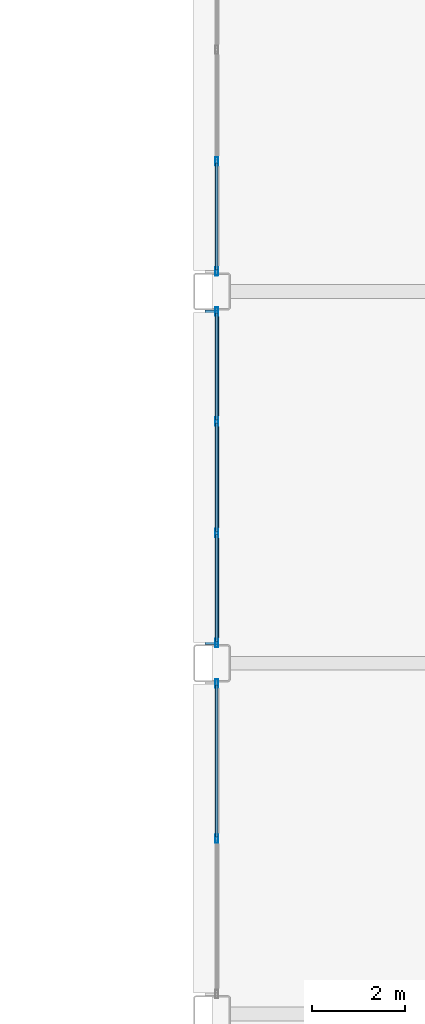
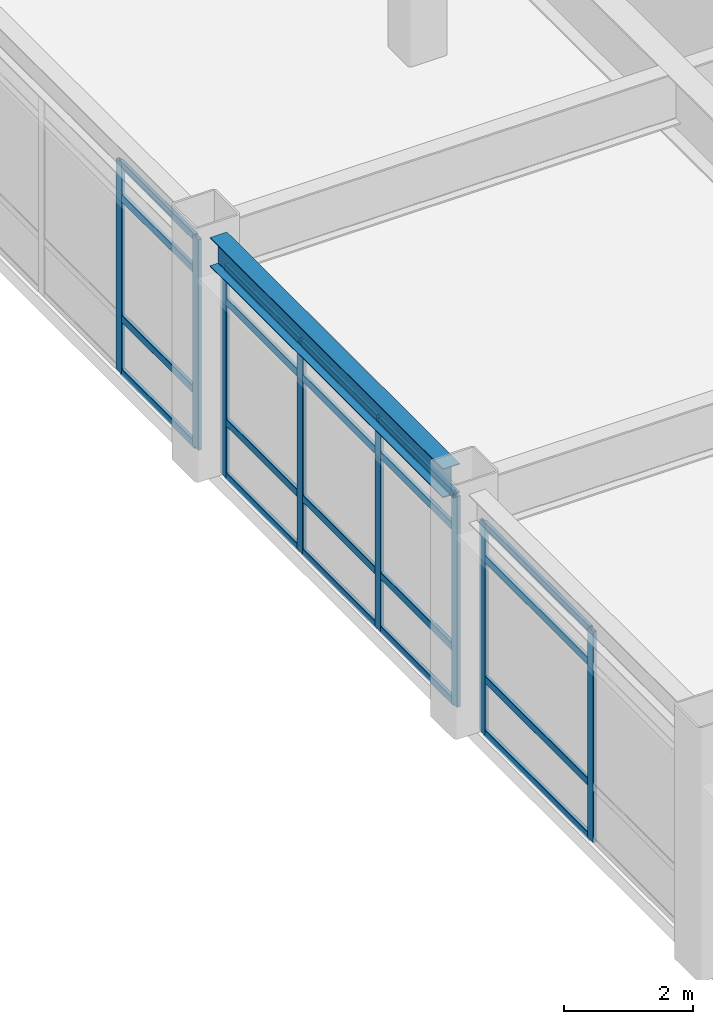
# One storey, part 112 of 172: 28 members, 1 beam, 3 elements without a shape of their own.
"""IFC4 building model written with IfcOpenShell, lengths in metres."""

import ifcopenshell
import ifcopenshell.guid

model = None  # the IFC model being written
_history = None  # IfcOwnerHistory: only IFC2X3 demands one
_inside = {}  # id of a spatial element -> (the spatial element, [elements in it])
_under = {}  # id of a project, library or spatial element -> (it, [spatial elements below it])
_declared = {}  # id of a project -> (the project, [libraries it declares])
_typed = {}  # id of a type object -> (the type object, [elements of that type])
_made_of = {}  # id of a material, layer set ... -> (it, [elements and type objects made of it])


def new_model(schema):
    """Start an empty IFC model of exactly this schema.

    Asked for "IFC4X3", IfcOpenShell would pick the latest addendum, in which some entities
    have other attributes; the version numbers below select the first issue.
    IFC2X3 requires an IfcOwnerHistory on every rooted entity: one is made here for all.
    """
    global model, _history
    if schema == "IFC4X3":
        model = ifcopenshell.file(schema_version=(4, 3, 0, 0))
    else:
        model = ifcopenshell.file(schema=schema)
    _inside.clear()
    _under.clear()
    _declared.clear()
    _typed.clear()
    _made_of.clear()
    _history = None
    if model.schema == "IFC2X3":
        org = make("IfcOrganization", Name="unknown")
        user = make(
            "IfcPersonAndOrganization",
            ThePerson=make("IfcPerson", FamilyName="unknown"),
            TheOrganization=org,
        )
        app = make(
            "IfcApplication",
            ApplicationDeveloper=org,
            Version="unknown",
            ApplicationFullName="unknown",
            ApplicationIdentifier="unknown",
        )
        _history = make(
            "IfcOwnerHistory",
            OwningUser=user,
            OwningApplication=app,
            ChangeAction="ADDED",
            CreationDate=0,
        )
    return model


def make(cls, **values):
    """One entity of the class cls with the attributes given. An attribute that is None is left unset."""
    return model.create_entity(
        cls, **{name: value for name, value in values.items() if value is not None}
    )


def rooted(cls, **values):
    """An entity with a GlobalId (a new one), such as an element, a storey or a relation."""
    return make(cls, GlobalId=ifcopenshell.guid.new(), OwnerHistory=_history, **values)


def si_unit(unit_type, name, prefix=None):
    """IfcSIUnit, for example si_unit("LENGTHUNIT", "METRE", prefix="MILLI")."""
    return make("IfcSIUnit", UnitType=unit_type, Prefix=prefix, Name=name)


def assignment(units):
    """IfcUnitAssignment: the units of a project."""
    return None if units is None else make("IfcUnitAssignment", Units=units)


def point(xyz):
    """IfcCartesianPoint."""
    return None if xyz is None else make("IfcCartesianPoint", Coordinates=xyz)


def direction(xyz):
    """IfcDirection."""
    return None if xyz is None else make("IfcDirection", DirectionRatios=xyz)


def frame(location, z_axis=None, x_axis=None):
    """IfcAxis2Placement3D, a coordinate frame: its origin and axes. An axis left out is left unset."""
    return make(
        "IfcAxis2Placement3D",
        Location=point(location),
        Axis=direction(z_axis),
        RefDirection=direction(x_axis),
    )


def frame_2d(location, x_axis=None):
    """IfcAxis2Placement2D, a coordinate frame in the plane: its origin and x axis."""
    return make(
        "IfcAxis2Placement2D", Location=point(location), RefDirection=direction(x_axis)
    )


def origin():
    """The frame at (0, 0, 0) with its axes left unset."""
    return frame((0.0, 0.0, 0.0))


def origin_2d():
    """The frame at (0, 0) in the plane with its x axis left unset."""
    return frame_2d((0.0, 0.0))


def place(relative_to, where):
    """IfcLocalPlacement: puts the frame where relative to a parent placement (None: the world)."""
    return make(
        "IfcLocalPlacement", PlacementRelTo=relative_to, RelativePlacement=where
    )


def context(
    kind, dimensions, precision=None, world=None, true_north=None, identifier=None
):
    """IfcGeometricRepresentationContext, for example the 3D "Model" context."""
    return make(
        "IfcGeometricRepresentationContext",
        ContextIdentifier=identifier,
        ContextType=kind,
        CoordinateSpaceDimension=dimensions,
        Precision=precision,
        WorldCoordinateSystem=world,
        TrueNorth=true_north,
    )


def subcontext(parent, identifier, kind, view, scale=None):
    """IfcGeometricRepresentationSubContext, for example "Body" below "Model"."""
    return make(
        "IfcGeometricRepresentationSubContext",
        ContextIdentifier=identifier,
        ContextType=kind,
        ParentContext=parent,
        TargetScale=scale,
        TargetView=view,
    )


def project(units=None, contexts=None):
    """IfcProject with its units and contexts."""
    return rooted(
        "IfcProject",
        Name="project",
        RepresentationContexts=contexts,
        UnitsInContext=assignment(units),
    )


def spatial(cls, under=None, at=None, **own):
    """A site, building, storey or space (cls), placed at a placement, below another one or the project."""
    s = rooted(cls, ObjectPlacement=at, **own)
    if under is not None:
        _under.setdefault(under.id(), (under, []))[1].append(s)
    return s


def profile(cls, at=None, kind="AREA", **sizes):
    """A parametric profile (cls). Its sizes go by their IFC names, for example OverallWidth=200.0."""
    return make(cls, ProfileType=kind, Position=at, **sizes)


def hollow_rectangle(**sizes):
    """IfcRectangleHollowProfileDef."""
    return profile("IfcRectangleHollowProfileDef", **sizes)


def i_section(**sizes):
    """IfcIShapeProfileDef."""
    return profile("IfcIShapeProfileDef", **sizes)


def extrude(swept, where, along, depth):
    """IfcExtrudedAreaSolid: the profile swept, set in the frame where, extruded along a direction by depth."""
    return make(
        "IfcExtrudedAreaSolid",
        SweptArea=swept,
        Position=where,
        ExtrudedDirection=direction(along),
        Depth=depth,
    )


def shape(context_of_items, identifier, shape_type, items):
    """IfcShapeRepresentation: the items that make up one representation, for example the "Body"."""
    return make(
        "IfcShapeRepresentation",
        ContextOfItems=context_of_items,
        RepresentationIdentifier=identifier,
        RepresentationType=shape_type,
        Items=items,
    )


def material(Name=None, Category=None):
    """IfcMaterial."""
    return make("IfcMaterial", Name=Name, Category=Category)


def layer(
    of_material, thickness, ventilated=None, Name=None, Category=None, Priority=None
):
    """IfcMaterialLayer: one layer of a wall or slab, of a material (None: an air gap)."""
    return make(
        "IfcMaterialLayer",
        Material=of_material,
        LayerThickness=thickness,
        IsVentilated=ventilated,
        Name=Name,
        Category=Category,
        Priority=Priority,
    )


def layer_set(layers, Name=None):
    """IfcMaterialLayerSet."""
    return make("IfcMaterialLayerSet", MaterialLayers=layers, LayerSetName=Name)


def material_profile(
    of_material, cross_section, Name=None, Category=None, Priority=None
):
    """IfcMaterialProfile: a cross section and its material."""
    return make(
        "IfcMaterialProfile",
        Name=Name,
        Material=of_material,
        Profile=cross_section,
        Priority=Priority,
        Category=Category,
    )


def profile_set(profiles, Name=None, composite=None):
    """IfcMaterialProfileSet."""
    return make(
        "IfcMaterialProfileSet",
        Name=Name,
        MaterialProfiles=profiles,
        CompositeProfile=composite,
    )


def made_of(thing, what):
    """Note that an element or type object is made of a material, layer set ...; save() writes the relation."""
    if what is not None:
        _made_of.setdefault(what.id(), (what, []))[1].append(thing)
    return thing


def type_object(cls, material=None, **own):
    """A type object (cls), such as IfcWallType, which elements share."""
    return made_of(rooted(cls, **own), material)


def element(
    cls,
    number,
    at=None,
    inside=None,
    cuts=None,
    type_object=None,
    material=None,
    context=None,
    identifier="Body",
    shape_type=None,
    held_by="IfcProductDefinitionShape",
    body=None,
    shapes=None,
    **own,
):
    """One element of the class cls, such as IfcWall. Its Tag is "e" and its number.

    at: its placement. inside: the storey or other place that contains it. cuts: it is an
    opening in that element (IfcRelVoidsElement). A single representation is given by context,
    identifier, shape_type and body (its items); several are given by shapes. held_by: the class
    of the entity that holds the representations. save() writes the other relations.
    """
    e = rooted(cls, Tag="e%d" % number, ObjectPlacement=at, **own)
    if body is not None:
        shapes = [shape(context, identifier, shape_type, body)]
    if shapes is not None:
        e.Representation = make(held_by, Representations=shapes)
    if inside is not None:
        _inside.setdefault(inside.id(), (inside, []))[1].append(e)
    if cuts is not None:
        rooted(
            "IfcRelVoidsElement", RelatingBuildingElement=cuts, RelatedOpeningElement=e
        )
    if type_object is not None:
        _typed.setdefault(type_object.id(), (type_object, []))[1].append(e)
    return made_of(e, material)


def aggregate(whole, parts):
    """IfcRelAggregates: a whole, such as a stair, and the parts it consists of."""
    return rooted("IfcRelAggregates", RelatingObject=whole, RelatedObjects=parts)


def save(model, path):
    """Write the relations noted so far, then the file.

    IfcRelAggregates (storeys below a building ...), IfcRelContainedInSpatialStructure (elements
    in a storey), IfcRelDefinesByType, IfcRelAssociatesMaterial and IfcRelDeclares: one each for
    every whole, place, type object, material and project.
    """
    for whole, parts in _under.values():
        aggregate(whole, parts)
    for where, things in _inside.values():
        rooted(
            "IfcRelContainedInSpatialStructure",
            RelatedElements=things,
            RelatingStructure=where,
        )
    for kind, things in _typed.values():
        rooted("IfcRelDefinesByType", RelatedObjects=things, RelatingType=kind)
    for what, things in _made_of.values():
        rooted("IfcRelAssociatesMaterial", RelatedObjects=things, RelatingMaterial=what)
    for by, libraries in _declared.values():
        rooted("IfcRelDeclares", RelatingContext=by, RelatedDefinitions=libraries)
    model.write(path)


model = new_model("IFC4")

# Units and contexts
model_context = context("Model", 3, precision=1e-05, world=origin(), true_north=direction((0.0, 1.0)))
body_context = subcontext(model_context, "Body", "Model", "MODEL_VIEW")
ifc_project = project(units=[si_unit("LENGTHUNIT", "METRE"), si_unit("AREAUNIT", "SQUARE_METRE"), si_unit("VOLUMEUNIT", "CUBIC_METRE"), si_unit("PLANEANGLEUNIT", "RADIAN"), si_unit("MASSUNIT", "GRAM", prefix="KILO")], contexts=[model_context])

# Site, building, storey
site_placement = place(None, origin())
site = spatial("IfcSite", under=ifc_project, at=site_placement, CompositionType="ELEMENT")
building_placement = place(site_placement, origin())
building = spatial("IfcBuilding", under=site, at=building_placement, Name="Kazehara Bluff Congress Hotel", CompositionType="ELEMENT")
storey_placement = place(building_placement, frame((0.0, 0.0, 5.39990234375)))
storey = spatial("IfcBuildingStorey", under=building, at=storey_placement, Name="L01", CompositionType="ELEMENT", Elevation=5.39990234375)

# Curtain wall, members
ifc_material_1 = material(Name="Anodised aluminium", Category="aluminium")
ifc_layer_1 = layer(ifc_material_1, 0.159912109375)
ifc_layer_set_1 = layer_set([ifc_layer_1], Name="Anodised aluminium")
curtain_wall_type_1 = type_object("IfcCurtainWallType", Name="TP-CW-122", PredefinedType="NOTDEFINED", material=ifc_layer_set_1)
curtain_wall_1_placement = place(storey_placement, origin())
curtain_wall_1 = element("IfcCurtainWall", 1, at=curtain_wall_1_placement, inside=storey, type_object=curtain_wall_type_1, Name="L01 curtain wall CW-122 CW-ENC-V5-L01-14380-7712", PredefinedType="NOTDEFINED")
ifc_material_2 = material(Name="Anodised aluminium", Category="aluminium")
ifc_material_profile_1 = material_profile(ifc_material_2, hollow_rectangle(XDim=0.06494140625, YDim=0.179931640625, WallThickness=0.00390625, InnerFilletRadius=0.00390625, OuterFilletRadius=0.008056640625, at=origin_2d()))
ifc_profile_set_1 = profile_set([ifc_material_profile_1], Name="Anodised aluminium")
member_type_1 = type_object("IfcMemberType", Name="TP-CWM-02", PredefinedType="MULLION", material=ifc_profile_set_1)
member_1_placement = place(storey_placement, frame((143.800048828125, 77.125, 0.0), z_axis=(0.0, 0.0, 1.0), x_axis=(-1.0, 0.0, 0.0)))
member_1 = element("IfcMember", 2, at=member_1_placement, type_object=member_type_1, Name="CW-122 mullion 2", PredefinedType="MULLION", context=body_context, shape_type="SweptSolid", body=[
    extrude(hollow_rectangle(XDim=0.06494140625, YDim=0.179931640625, WallThickness=0.00390625, InnerFilletRadius=0.00390625, OuterFilletRadius=0.008056640625, at=origin_2d()), origin(), (0.0, 0.0, 1.0), 3.97509765625),
])
member_2_placement = place(storey_placement, frame((143.800048828125, 80.467529296875, 0.0), z_axis=(0.0, 0.0, 1.0), x_axis=(-1.0, 0.0, 0.0)))
member_2 = element("IfcMember", 3, at=member_2_placement, type_object=member_type_1, Name="CW-122 mullion 3", PredefinedType="MULLION", context=body_context, shape_type="SweptSolid", body=[
    extrude(hollow_rectangle(XDim=0.06494140625, YDim=0.179931640625, WallThickness=0.00390625, InnerFilletRadius=0.00390625, OuterFilletRadius=0.008056640625, at=origin_2d()), origin(), (0.0, 0.0, 1.0), 3.97509765625),
])

ifc_material_3 = material(Name="Anodised aluminium", Category="aluminium")
ifc_layer_2 = layer(ifc_material_3, 0.159912109375)
ifc_layer_set_2 = layer_set([ifc_layer_2], Name="Anodised aluminium")
curtain_wall_type_2 = type_object("IfcCurtainWallType", Name="TP-CW-120", PredefinedType="NOTDEFINED", material=ifc_layer_set_2)
curtain_wall_2_placement = place(storey_placement, origin())
curtain_wall_2 = element("IfcCurtainWall", 4, at=curtain_wall_2_placement, inside=storey, type_object=curtain_wall_type_2, Name="L01 curtain wall CW-120 CW-ENC-V5-L01-14380-8490", PredefinedType="NOTDEFINED")
member_3_placement = place(storey_placement, frame((143.800048828125, 81.33251953125, 0.0), z_axis=(0.0, 0.0, 1.0), x_axis=(-1.0, 0.0, 0.0)))
member_3 = element("IfcMember", 5, at=member_3_placement, type_object=member_type_1, Name="CW-120 mullion 1", PredefinedType="MULLION", context=body_context, shape_type="SweptSolid", body=[
    extrude(hollow_rectangle(XDim=0.06494140625, YDim=0.179931640625, WallThickness=0.00390625, InnerFilletRadius=0.00390625, OuterFilletRadius=0.008056640625, at=origin_2d()), origin(), (0.0, 0.0, 1.0), 3.97509765625),
])
member_4_placement = place(storey_placement, frame((143.800048828125, 83.699951171875, 0.0), z_axis=(0.0, 0.0, 1.0), x_axis=(-1.0, 0.0, 0.0)))
member_4 = element("IfcMember", 6, at=member_4_placement, type_object=member_type_1, Name="CW-120 mullion 2", PredefinedType="MULLION", context=body_context, shape_type="SweptSolid", body=[
    extrude(hollow_rectangle(XDim=0.06494140625, YDim=0.179931640625, WallThickness=0.00390625, InnerFilletRadius=0.00390625, OuterFilletRadius=0.008056640625, at=origin_2d()), origin(), (0.0, 0.0, 1.0), 3.97509765625),
])
member_5_placement = place(storey_placement, frame((143.800048828125, 86.10009765625, 0.0), z_axis=(0.0, 0.0, 1.0), x_axis=(-1.0, 0.0, 0.0)))
member_5 = element("IfcMember", 7, at=member_5_placement, type_object=member_type_1, Name="CW-120 mullion 3", PredefinedType="MULLION", context=body_context, shape_type="SweptSolid", body=[
    extrude(hollow_rectangle(XDim=0.06494140625, YDim=0.179931640625, WallThickness=0.00390625, InnerFilletRadius=0.00390625, OuterFilletRadius=0.008056640625, at=origin_2d()), origin(), (0.0, 0.0, 1.0), 3.97509765625),
])
member_6_placement = place(storey_placement, frame((143.800048828125, 88.467529296875, 0.0), z_axis=(0.0, 0.0, 1.0), x_axis=(-1.0, 0.0, 0.0)))
member_6 = element("IfcMember", 8, at=member_6_placement, type_object=member_type_1, Name="CW-120 mullion 4", PredefinedType="MULLION", context=body_context, shape_type="SweptSolid", body=[
    extrude(hollow_rectangle(XDim=0.06494140625, YDim=0.179931640625, WallThickness=0.00390625, InnerFilletRadius=0.00390625, OuterFilletRadius=0.008056640625, at=origin_2d()), origin(), (0.0, 0.0, 1.0), 3.97509765625),
])

curtain_wall_3_placement = place(storey_placement, origin())
curtain_wall_3 = element("IfcCurtainWall", 9, at=curtain_wall_3_placement, inside=storey, type_object=curtain_wall_type_2, Name="L01 curtain wall CW-120 CW-ENC-V5-L01-14380-9290", PredefinedType="NOTDEFINED")
member_7_placement = place(storey_placement, frame((143.800048828125, 89.33251953125, 0.0), z_axis=(0.0, 0.0, 1.0), x_axis=(-1.0, 0.0, 0.0)))
member_7 = element("IfcMember", 10, at=member_7_placement, type_object=member_type_1, Name="CW-120 mullion 1", PredefinedType="MULLION", context=body_context, shape_type="SweptSolid", body=[
    extrude(hollow_rectangle(XDim=0.06494140625, YDim=0.179931640625, WallThickness=0.00390625, InnerFilletRadius=0.00390625, OuterFilletRadius=0.008056640625, at=origin_2d()), origin(), (0.0, 0.0, 1.0), 3.97509765625),
])
member_8_placement = place(storey_placement, frame((143.800048828125, 91.699951171875, 0.0), z_axis=(0.0, 0.0, 1.0), x_axis=(-1.0, 0.0, 0.0)))
member_8 = element("IfcMember", 11, at=member_8_placement, type_object=member_type_1, Name="CW-120 mullion 2", PredefinedType="MULLION", context=body_context, shape_type="SweptSolid", body=[
    extrude(hollow_rectangle(XDim=0.06494140625, YDim=0.179931640625, WallThickness=0.00390625, InnerFilletRadius=0.00390625, OuterFilletRadius=0.008056640625, at=origin_2d()), origin(), (0.0, 0.0, 1.0), 3.97509765625),
])

# Member
ifc_material_4 = material(Name="Anodised aluminium", Category="aluminium")
ifc_material_profile_2 = material_profile(ifc_material_4, hollow_rectangle(XDim=0.06494140625, YDim=0.139892578125, WallThickness=0.00390625, InnerFilletRadius=0.00390625, OuterFilletRadius=0.008056640625, at=origin_2d()))
ifc_profile_set_2 = profile_set([ifc_material_profile_2], Name="Anodised aluminium")
member_type_2 = type_object("IfcMemberType", Name="TP-CWT-02", PredefinedType="USERDEFINED", material=ifc_profile_set_2)
member_9_placement = place(storey_placement, frame((143.800048828125, 77.157470703125, 0.03271484375), z_axis=(0.0, 1.0, 0.0), x_axis=(-1.0, 0.0, 0.0)))
member_9 = element("IfcMember", 12, at=member_9_placement, type_object=member_type_2, Name="CW-122 transom 2.1", ObjectType="TRANSOM", PredefinedType="USERDEFINED", context=body_context, shape_type="SweptSolid", body=[
    extrude(hollow_rectangle(XDim=0.06494140625, YDim=0.139892578125, WallThickness=0.00390625, InnerFilletRadius=0.00390625, OuterFilletRadius=0.008056640625, at=origin_2d()), origin(), (0.0, 0.0, 1.0), 3.277587890625),
])

member_10_placement = place(storey_placement, frame((143.800048828125, 77.157470703125, 1.050048828125), z_axis=(0.0, 1.0, 0.0), x_axis=(-1.0, 0.0, 0.0)))
member_10 = element("IfcMember", 13, at=member_10_placement, type_object=member_type_2, Name="CW-122 transom 2.2", ObjectType="TRANSOM", PredefinedType="USERDEFINED", context=body_context, shape_type="SweptSolid", body=[
    extrude(hollow_rectangle(XDim=0.06494140625, YDim=0.139892578125, WallThickness=0.00390625, InnerFilletRadius=0.00390625, OuterFilletRadius=0.008056640625, at=origin_2d()), origin(), (0.0, 0.0, 1.0), 3.277587890625),
])

member_11_placement = place(storey_placement, frame((143.800048828125, 77.157470703125, 3.3251953125), z_axis=(0.0, 1.0, 0.0), x_axis=(-1.0, 0.0, 0.0)))
member_11 = element("IfcMember", 14, at=member_11_placement, type_object=member_type_2, Name="CW-122 transom 2.3", ObjectType="TRANSOM", PredefinedType="USERDEFINED", context=body_context, shape_type="SweptSolid", body=[
    extrude(hollow_rectangle(XDim=0.06494140625, YDim=0.139892578125, WallThickness=0.00390625, InnerFilletRadius=0.00390625, OuterFilletRadius=0.008056640625, at=origin_2d()), origin(), (0.0, 0.0, 1.0), 3.277587890625),
])

member_12_placement = place(storey_placement, frame((143.800048828125, 77.157470703125, 3.942626953125), z_axis=(0.0, 1.0, 0.0), x_axis=(-1.0, 0.0, 0.0)))
member_12 = element("IfcMember", 15, at=member_12_placement, type_object=member_type_2, Name="CW-122 transom 2.4", ObjectType="TRANSOM", PredefinedType="USERDEFINED", context=body_context, shape_type="SweptSolid", body=[
    extrude(hollow_rectangle(XDim=0.06494140625, YDim=0.139892578125, WallThickness=0.00390625, InnerFilletRadius=0.00390625, OuterFilletRadius=0.008056640625, at=origin_2d()), origin(), (0.0, 0.0, 1.0), 3.277587890625),
])

aggregate(curtain_wall_1, [member_1, member_2, member_9, member_10, member_11, member_12])

member_13_placement = place(storey_placement, frame((143.800048828125, 81.364990234375, 0.03271484375), z_axis=(0.0, 1.0, 0.0), x_axis=(-1.0, 0.0, 0.0)))
member_13 = element("IfcMember", 16, at=member_13_placement, type_object=member_type_2, Name="CW-120 transom 1.1", ObjectType="TRANSOM", PredefinedType="USERDEFINED", context=body_context, shape_type="SweptSolid", body=[
    extrude(hollow_rectangle(XDim=0.06494140625, YDim=0.139892578125, WallThickness=0.00390625, InnerFilletRadius=0.00390625, OuterFilletRadius=0.008056640625, at=origin_2d()), origin(), (0.0, 0.0, 1.0), 2.302490234375),
])

member_14_placement = place(storey_placement, frame((143.800048828125, 81.364990234375, 1.050048828125), z_axis=(0.0, 1.0, 0.0), x_axis=(-1.0, 0.0, 0.0)))
member_14 = element("IfcMember", 17, at=member_14_placement, type_object=member_type_2, Name="CW-120 transom 1.2", ObjectType="TRANSOM", PredefinedType="USERDEFINED", context=body_context, shape_type="SweptSolid", body=[
    extrude(hollow_rectangle(XDim=0.06494140625, YDim=0.139892578125, WallThickness=0.00390625, InnerFilletRadius=0.00390625, OuterFilletRadius=0.008056640625, at=origin_2d()), origin(), (0.0, 0.0, 1.0), 2.302490234375),
])

member_15_placement = place(storey_placement, frame((143.800048828125, 81.364990234375, 3.3251953125), z_axis=(0.0, 1.0, 0.0), x_axis=(-1.0, 0.0, 0.0)))
member_15 = element("IfcMember", 18, at=member_15_placement, type_object=member_type_2, Name="CW-120 transom 1.3", ObjectType="TRANSOM", PredefinedType="USERDEFINED", context=body_context, shape_type="SweptSolid", body=[
    extrude(hollow_rectangle(XDim=0.06494140625, YDim=0.139892578125, WallThickness=0.00390625, InnerFilletRadius=0.00390625, OuterFilletRadius=0.008056640625, at=origin_2d()), origin(), (0.0, 0.0, 1.0), 2.302490234375),
])

member_16_placement = place(storey_placement, frame((143.800048828125, 81.364990234375, 3.942626953125), z_axis=(0.0, 1.0, 0.0), x_axis=(-1.0, 0.0, 0.0)))
member_16 = element("IfcMember", 19, at=member_16_placement, type_object=member_type_2, Name="CW-120 transom 1.4", ObjectType="TRANSOM", PredefinedType="USERDEFINED", context=body_context, shape_type="SweptSolid", body=[
    extrude(hollow_rectangle(XDim=0.06494140625, YDim=0.139892578125, WallThickness=0.00390625, InnerFilletRadius=0.00390625, OuterFilletRadius=0.008056640625, at=origin_2d()), origin(), (0.0, 0.0, 1.0), 2.302490234375),
])

member_17_placement = place(storey_placement, frame((143.800048828125, 83.732421875, 0.03271484375), z_axis=(0.0, 1.0, 0.0), x_axis=(-1.0, 0.0, 0.0)))
member_17 = element("IfcMember", 20, at=member_17_placement, type_object=member_type_2, Name="CW-120 transom 2.1", ObjectType="TRANSOM", PredefinedType="USERDEFINED", context=body_context, shape_type="SweptSolid", body=[
    extrude(hollow_rectangle(XDim=0.06494140625, YDim=0.139892578125, WallThickness=0.00390625, InnerFilletRadius=0.00390625, OuterFilletRadius=0.008056640625, at=origin_2d()), origin(), (0.0, 0.0, 1.0), 2.3349609375),
])

member_18_placement = place(storey_placement, frame((143.800048828125, 83.732421875, 1.050048828125), z_axis=(0.0, 1.0, 0.0), x_axis=(-1.0, 0.0, 0.0)))
member_18 = element("IfcMember", 21, at=member_18_placement, type_object=member_type_2, Name="CW-120 transom 2.2", ObjectType="TRANSOM", PredefinedType="USERDEFINED", context=body_context, shape_type="SweptSolid", body=[
    extrude(hollow_rectangle(XDim=0.06494140625, YDim=0.139892578125, WallThickness=0.00390625, InnerFilletRadius=0.00390625, OuterFilletRadius=0.008056640625, at=origin_2d()), origin(), (0.0, 0.0, 1.0), 2.3349609375),
])

member_19_placement = place(storey_placement, frame((143.800048828125, 83.732421875, 3.3251953125), z_axis=(0.0, 1.0, 0.0), x_axis=(-1.0, 0.0, 0.0)))
member_19 = element("IfcMember", 22, at=member_19_placement, type_object=member_type_2, Name="CW-120 transom 2.3", ObjectType="TRANSOM", PredefinedType="USERDEFINED", context=body_context, shape_type="SweptSolid", body=[
    extrude(hollow_rectangle(XDim=0.06494140625, YDim=0.139892578125, WallThickness=0.00390625, InnerFilletRadius=0.00390625, OuterFilletRadius=0.008056640625, at=origin_2d()), origin(), (0.0, 0.0, 1.0), 2.3349609375),
])

member_20_placement = place(storey_placement, frame((143.800048828125, 83.732421875, 3.942626953125), z_axis=(0.0, 1.0, 0.0), x_axis=(-1.0, 0.0, 0.0)))
member_20 = element("IfcMember", 23, at=member_20_placement, type_object=member_type_2, Name="CW-120 transom 2.4", ObjectType="TRANSOM", PredefinedType="USERDEFINED", context=body_context, shape_type="SweptSolid", body=[
    extrude(hollow_rectangle(XDim=0.06494140625, YDim=0.139892578125, WallThickness=0.00390625, InnerFilletRadius=0.00390625, OuterFilletRadius=0.008056640625, at=origin_2d()), origin(), (0.0, 0.0, 1.0), 2.3349609375),
])

member_21_placement = place(storey_placement, frame((143.800048828125, 86.132568359375, 0.03271484375), z_axis=(0.0, 1.0, 0.0), x_axis=(-1.0, 0.0, 0.0)))
member_21 = element("IfcMember", 24, at=member_21_placement, type_object=member_type_2, Name="CW-120 transom 3.1", ObjectType="TRANSOM", PredefinedType="USERDEFINED", context=body_context, shape_type="SweptSolid", body=[
    extrude(hollow_rectangle(XDim=0.06494140625, YDim=0.139892578125, WallThickness=0.00390625, InnerFilletRadius=0.00390625, OuterFilletRadius=0.008056640625, at=origin_2d()), origin(), (0.0, 0.0, 1.0), 2.302490234375),
])

member_22_placement = place(storey_placement, frame((143.800048828125, 86.132568359375, 1.050048828125), z_axis=(0.0, 1.0, 0.0), x_axis=(-1.0, 0.0, 0.0)))
member_22 = element("IfcMember", 25, at=member_22_placement, type_object=member_type_2, Name="CW-120 transom 3.2", ObjectType="TRANSOM", PredefinedType="USERDEFINED", context=body_context, shape_type="SweptSolid", body=[
    extrude(hollow_rectangle(XDim=0.06494140625, YDim=0.139892578125, WallThickness=0.00390625, InnerFilletRadius=0.00390625, OuterFilletRadius=0.008056640625, at=origin_2d()), origin(), (0.0, 0.0, 1.0), 2.302490234375),
])

member_23_placement = place(storey_placement, frame((143.800048828125, 86.132568359375, 3.3251953125), z_axis=(0.0, 1.0, 0.0), x_axis=(-1.0, 0.0, 0.0)))
member_23 = element("IfcMember", 26, at=member_23_placement, type_object=member_type_2, Name="CW-120 transom 3.3", ObjectType="TRANSOM", PredefinedType="USERDEFINED", context=body_context, shape_type="SweptSolid", body=[
    extrude(hollow_rectangle(XDim=0.06494140625, YDim=0.139892578125, WallThickness=0.00390625, InnerFilletRadius=0.00390625, OuterFilletRadius=0.008056640625, at=origin_2d()), origin(), (0.0, 0.0, 1.0), 2.302490234375),
])

member_24_placement = place(storey_placement, frame((143.800048828125, 86.132568359375, 3.942626953125), z_axis=(0.0, 1.0, 0.0), x_axis=(-1.0, 0.0, 0.0)))
member_24 = element("IfcMember", 27, at=member_24_placement, type_object=member_type_2, Name="CW-120 transom 3.4", ObjectType="TRANSOM", PredefinedType="USERDEFINED", context=body_context, shape_type="SweptSolid", body=[
    extrude(hollow_rectangle(XDim=0.06494140625, YDim=0.139892578125, WallThickness=0.00390625, InnerFilletRadius=0.00390625, OuterFilletRadius=0.008056640625, at=origin_2d()), origin(), (0.0, 0.0, 1.0), 2.302490234375),
])

aggregate(curtain_wall_2, [member_3, member_4, member_5, member_6, member_13, member_14, member_15, member_16, member_17, member_18, member_19, member_20, member_21, member_22, member_23, member_24])

member_25_placement = place(storey_placement, frame((143.800048828125, 89.364990234375, 0.03271484375), z_axis=(0.0, 1.0, 0.0), x_axis=(-1.0, 0.0, 0.0)))
member_25 = element("IfcMember", 28, at=member_25_placement, type_object=member_type_2, Name="CW-120 transom 1.1", ObjectType="TRANSOM", PredefinedType="USERDEFINED", context=body_context, shape_type="SweptSolid", body=[
    extrude(hollow_rectangle(XDim=0.06494140625, YDim=0.139892578125, WallThickness=0.00390625, InnerFilletRadius=0.00390625, OuterFilletRadius=0.008056640625, at=origin_2d()), origin(), (0.0, 0.0, 1.0), 2.302490234375),
])

member_26_placement = place(storey_placement, frame((143.800048828125, 89.364990234375, 1.050048828125), z_axis=(0.0, 1.0, 0.0), x_axis=(-1.0, 0.0, 0.0)))
member_26 = element("IfcMember", 29, at=member_26_placement, type_object=member_type_2, Name="CW-120 transom 1.2", ObjectType="TRANSOM", PredefinedType="USERDEFINED", context=body_context, shape_type="SweptSolid", body=[
    extrude(hollow_rectangle(XDim=0.06494140625, YDim=0.139892578125, WallThickness=0.00390625, InnerFilletRadius=0.00390625, OuterFilletRadius=0.008056640625, at=origin_2d()), origin(), (0.0, 0.0, 1.0), 2.302490234375),
])

member_27_placement = place(storey_placement, frame((143.800048828125, 89.364990234375, 3.3251953125), z_axis=(0.0, 1.0, 0.0), x_axis=(-1.0, 0.0, 0.0)))
member_27 = element("IfcMember", 30, at=member_27_placement, type_object=member_type_2, Name="CW-120 transom 1.3", ObjectType="TRANSOM", PredefinedType="USERDEFINED", context=body_context, shape_type="SweptSolid", body=[
    extrude(hollow_rectangle(XDim=0.06494140625, YDim=0.139892578125, WallThickness=0.00390625, InnerFilletRadius=0.00390625, OuterFilletRadius=0.008056640625, at=origin_2d()), origin(), (0.0, 0.0, 1.0), 2.302490234375),
])

member_28_placement = place(storey_placement, frame((143.800048828125, 89.364990234375, 3.942626953125), z_axis=(0.0, 1.0, 0.0), x_axis=(-1.0, 0.0, 0.0)))
member_28 = element("IfcMember", 31, at=member_28_placement, type_object=member_type_2, Name="CW-120 transom 1.4", ObjectType="TRANSOM", PredefinedType="USERDEFINED", context=body_context, shape_type="SweptSolid", body=[
    extrude(hollow_rectangle(XDim=0.06494140625, YDim=0.139892578125, WallThickness=0.00390625, InnerFilletRadius=0.00390625, OuterFilletRadius=0.008056640625, at=origin_2d()), origin(), (0.0, 0.0, 1.0), 2.302490234375),
])

aggregate(curtain_wall_3, [member_7, member_8, member_25, member_26, member_27, member_28])

# Beam
ifc_material_5 = material(Name="Steel SN490B", Category="steel")
ifc_material_profile_3 = material_profile(ifc_material_5, i_section(OverallWidth=0.300048828125, OverallDepth=0.550048828125, WebThickness=0.010986328125, FlangeThickness=0.01806640625, FilletRadius=0.012939453125, at=origin_2d()))
ifc_profile_set_3 = profile_set([ifc_material_profile_3], Name="Steel SN490B")
beam_type = type_object("IfcBeamType", Name="TP-SP-01", PredefinedType="SPANDREL", material=ifc_profile_set_3)
beam_placement = place(storey_placement, frame((143.699951171875, 81.300048828125, 4.275146484375), z_axis=(0.0, 1.0, 0.0), x_axis=(-1.0, 0.0, 0.0)))
element("IfcBeam", 32, at=beam_placement, inside=storey, type_object=beam_type, Name="L01 girder SP-01 238", PredefinedType="SPANDREL", context=body_context, shape_type="SweptSolid", body=[
    extrude(i_section(OverallWidth=0.300048828125, OverallDepth=0.550048828125, WebThickness=0.010986328125, FlangeThickness=0.01806640625, FilletRadius=0.012939453125, at=origin_2d()), origin(), (0.0, 0.0, 1.0), 7.199951171875),
])

save(model, "model.ifc")
